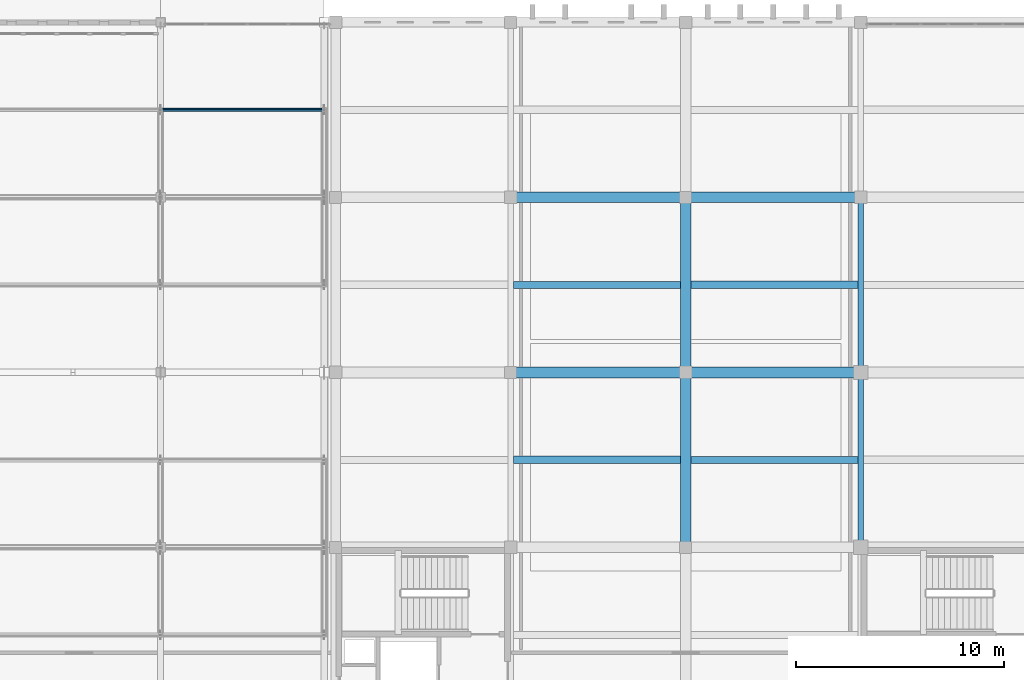
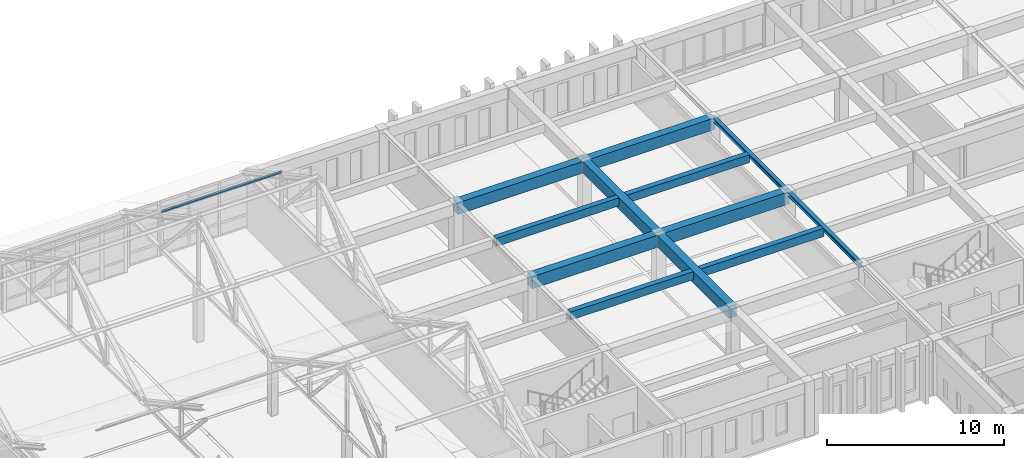
# One storey, part 41 of 110: 12 beams, 1 member.
"""IFC4 building model written with IfcOpenShell, lengths in metres."""

from ifc_helpers import new_model, si_unit, direction, frame, origin, origin_2d, place, context, subcontext, project, spatial, rectangle, i_section, extrude, material, material_profile, profile_set, type_object, element, save


model = new_model("IFC4")

# Units and contexts
model_context = context("Model", 3, precision=1e-05, world=origin(), true_north=direction((0.0, 1.0)))
body_context = subcontext(model_context, "Body", "Model", "MODEL_VIEW")
ifc_project = project(units=[si_unit("LENGTHUNIT", "METRE"), si_unit("AREAUNIT", "SQUARE_METRE"), si_unit("VOLUMEUNIT", "CUBIC_METRE"), si_unit("PLANEANGLEUNIT", "RADIAN"), si_unit("MASSUNIT", "GRAM", prefix="KILO")], contexts=[model_context])

# Site, building, storey
site_placement = place(None, origin())
site = spatial("IfcSite", under=ifc_project, at=site_placement, CompositionType="ELEMENT")
building_placement = place(site_placement, origin())
building = spatial("IfcBuilding", under=site, at=building_placement, Name="Kveldsbrygga Polytechnic", CompositionType="ELEMENT")
storey_placement = place(building_placement, frame((0.0, 0.0, 9.860107421875)))
storey = spatial("IfcBuildingStorey", under=building, at=storey_placement, Name="L02", CompositionType="ELEMENT", Elevation=9.860107421875)

# Beams
ifc_material_1 = material(Name="Concrete C35/45", Category="concrete")
ifc_material_profile_1 = material_profile(ifc_material_1, rectangle(XDim=0.5, YDim=0.800048828125, at=origin_2d()), Name="RC 500x800")
ifc_profile_set_1 = profile_set([ifc_material_profile_1], Name="Concrete C35/45")
beam_type_1 = type_object("IfcBeamType", Name="BM-RC-500x800", PredefinedType="BEAM", material=ifc_profile_set_1)
beam_1_placement = place(storey_placement, frame((109.199951171875, 109.199951171875, 3.349853515625), z_axis=(1.0, 0.0, 0.0), x_axis=(0.0, 1.0, 0.0)))
element("IfcBeam", 1, at=beam_1_placement, inside=storey, type_object=beam_type_1, Name="Primary Beam BMX-L02-13to14-13", PredefinedType="BEAM", context=body_context, shape_type="SweptSolid", body=[
    extrude(rectangle(XDim=0.5, YDim=0.800048828125, at=origin_2d()), origin(), (0.0, 0.0, 1.0), 8.400146484375),
])
beam_2_placement = place(storey_placement, frame((117.60009765625, 109.199951171875, 3.349853515625), z_axis=(1.0, 0.0, 0.0), x_axis=(0.0, 1.0, 0.0)))
element("IfcBeam", 2, at=beam_2_placement, inside=storey, type_object=beam_type_1, Name="Primary Beam BMX-L02-14to15-13", PredefinedType="BEAM", context=body_context, shape_type="SweptSolid", body=[
    extrude(rectangle(XDim=0.5, YDim=0.800048828125, at=origin_2d()), origin(), (0.0, 0.0, 1.0), 8.39990234375),
])
beam_3_placement = place(storey_placement, frame((117.60009765625, 92.39990234375, 3.349853515625), z_axis=(0.0, 1.0, 0.0), x_axis=(-1.0, 0.0, 0.0)))
element("IfcBeam", 3, at=beam_3_placement, inside=storey, type_object=beam_type_1, Name="Primary Beam BMY-L02-14-11to12", PredefinedType="BEAM", context=body_context, shape_type="SweptSolid", body=[
    extrude(rectangle(XDim=0.5, YDim=0.800048828125, at=origin_2d()), origin(), (0.0, 0.0, 1.0), 8.400146484375),
])
beam_4_placement = place(storey_placement, frame((117.60009765625, 100.800048828125, 3.349853515625), z_axis=(0.0, 1.0, 0.0), x_axis=(-1.0, 0.0, 0.0)))
element("IfcBeam", 4, at=beam_4_placement, inside=storey, type_object=beam_type_1, Name="Primary Beam BMY-L02-14-12to13", PredefinedType="BEAM", context=body_context, shape_type="SweptSolid", body=[
    extrude(rectangle(XDim=0.5, YDim=0.800048828125, at=origin_2d()), origin(), (0.0, 0.0, 1.0), 8.39990234375),
])
ifc_material_profile_2 = material_profile(ifc_material_1, rectangle(XDim=0.52001953125, YDim=0.840087890625, at=origin_2d()), Name="RC 520x840")
ifc_profile_set_2 = profile_set([ifc_material_profile_2], Name="Concrete C35/45")
beam_type_2 = type_object("IfcBeamType", Name="BM-RC-520x840", PredefinedType="BEAM", material=ifc_profile_set_2)
beam_5_placement = place(storey_placement, frame((109.199951171875, 100.800048828125, 3.329833984375), z_axis=(1.0, 0.0, 0.0), x_axis=(0.0, 1.0, 0.0)))
element("IfcBeam", 5, at=beam_5_placement, inside=storey, type_object=beam_type_2, Name="Primary Beam BMX-L02-13to14-12", PredefinedType="BEAM", context=body_context, shape_type="SweptSolid", body=[
    extrude(rectangle(XDim=0.52001953125, YDim=0.840087890625, at=origin_2d()), origin(), (0.0, 0.0, 1.0), 8.400146484375),
])
beam_6_placement = place(storey_placement, frame((117.60009765625, 100.800048828125, 3.329833984375), z_axis=(1.0, 0.0, 0.0), x_axis=(0.0, 1.0, 0.0)))
element("IfcBeam", 6, at=beam_6_placement, inside=storey, type_object=beam_type_2, Name="Primary Beam BMX-L02-14to15-12", PredefinedType="BEAM", context=body_context, shape_type="SweptSolid", body=[
    extrude(rectangle(XDim=0.52001953125, YDim=0.840087890625, at=origin_2d()), origin(), (0.0, 0.0, 1.0), 8.39990234375),
])
ifc_material_2 = material(Name="Steel S355", Category="steel")
ifc_material_profile_3 = material_profile(ifc_material_2, i_section(OverallWidth=0.260009765625, OverallDepth=0.260009765625, WebThickness=0.010009765625, FlangeThickness=0.017578125, FilletRadius=0.02392578125, at=origin_2d()), Name="HEB 260")
ifc_profile_set_3 = profile_set([ifc_material_profile_3], Name="Steel S355")
beam_type_3 = type_object("IfcBeamType", Name="BM-STL-HEB260", PredefinedType="BEAM", material=ifc_profile_set_3)
beam_7_placement = place(storey_placement, frame((126.0, 92.39990234375, 3.619873046875), z_axis=(0.0, 1.0, 0.0), x_axis=(-1.0, 0.0, 0.0)))
element("IfcBeam", 7, at=beam_7_placement, inside=storey, type_object=beam_type_3, Name="Primary Beam BMY-L02-15-11to12", PredefinedType="BEAM", context=body_context, shape_type="SweptSolid", body=[
    extrude(i_section(OverallWidth=0.260009765625, OverallDepth=0.260009765625, WebThickness=0.010009765625, FlangeThickness=0.017578125, FilletRadius=0.02392578125, at=origin_2d()), origin(), (0.0, 0.0, 1.0), 8.400146484375),
])
beam_8_placement = place(storey_placement, frame((126.0, 100.800048828125, 3.619873046875), z_axis=(0.0, 1.0, 0.0), x_axis=(-1.0, 0.0, 0.0)))
element("IfcBeam", 8, at=beam_8_placement, inside=storey, type_object=beam_type_3, Name="Primary Beam BMY-L02-15-12to13", PredefinedType="BEAM", context=body_context, shape_type="SweptSolid", body=[
    extrude(i_section(OverallWidth=0.260009765625, OverallDepth=0.260009765625, WebThickness=0.010009765625, FlangeThickness=0.017578125, FilletRadius=0.02392578125, at=origin_2d()), origin(), (0.0, 0.0, 1.0), 8.39990234375),
])
ifc_material_profile_4 = material_profile(ifc_material_1, rectangle(XDim=0.340087890625, YDim=0.56005859375, at=origin_2d()), Name="RC 340x560")
ifc_profile_set_4 = profile_set([ifc_material_profile_4], Name="Concrete C35/45")
beam_type_4 = type_object("IfcBeamType", Name="JST-RC-340x560", PredefinedType="JOIST", material=ifc_profile_set_4)
for number, where, z_axis, x_axis, name in (
    (9, (109.330078125, 105.0, 3.469970703125), (1.0, 0.0, 0.0), (0.0, 1.0, 0.0), "Secondary Joist JST-L02-13-12"),
    (10, (117.85009765625, 96.60009765625, 3.469970703125), (1.0, 0.0, 0.0), (0.0, 1.0, 0.0), "Secondary Joist JST-L02-14-11"),
):
    element("IfcBeam", number, at=place(storey_placement, frame(where, z_axis=z_axis, x_axis=x_axis)), inside=storey, type_object=beam_type_4, Name=name, PredefinedType="JOIST", context=body_context, shape_type="SweptSolid", body=[
        extrude(rectangle(XDim=0.340087890625, YDim=0.56005859375, at=origin_2d()), origin(), (0.0, 0.0, 1.0), 8.02001953125),
    ])
ifc_material_profile_5 = material_profile(ifc_material_1, rectangle(XDim=0.35009765625, YDim=0.550048828125, at=origin_2d()), Name="RC 350x550")
ifc_profile_set_5 = profile_set([ifc_material_profile_5], Name="Concrete C35/45")
beam_type_5 = type_object("IfcBeamType", Name="JST-RC-350x550", PredefinedType="JOIST", material=ifc_profile_set_5)
for number, where, z_axis, x_axis, name in (
    (11, (109.330078125, 96.60009765625, 3.474853515625), (1.0, 0.0, 0.0), (0.0, 1.0, 0.0), "Secondary Joist JST-L02-13-11"),
    (12, (117.85009765625, 105.0, 3.474853515625), (1.0, 0.0, 0.0), (0.0, 1.0, 0.0), "Secondary Joist JST-L02-14-12"),
):
    element("IfcBeam", number, at=place(storey_placement, frame(where, z_axis=z_axis, x_axis=x_axis)), inside=storey, type_object=beam_type_5, Name=name, PredefinedType="JOIST", context=body_context, shape_type="SweptSolid", body=[
        extrude(rectangle(XDim=0.35009765625, YDim=0.550048828125, at=origin_2d()), origin(), (0.0, 0.0, 1.0), 8.02001953125),
    ])

# Member
ifc_material_profile_6 = material_profile(ifc_material_2, i_section(OverallWidth=0.10009765625, OverallDepth=0.199951171875, WebThickness=0.005615234375, FlangeThickness=0.008544921875, FilletRadius=0.011962890625, at=origin_2d()), Name="IPE 200")
ifc_profile_set_6 = profile_set([ifc_material_profile_6], Name="Steel S355")
member_type = type_object("IfcMemberType", Name="PRL-IPE200", PredefinedType="PURLIN", material=ifc_profile_set_6)
member_placement = place(storey_placement, frame((92.39990234375, 113.39990234375, 6.33349609375), z_axis=(1.0, 0.0, 0.0), x_axis=(0.0, 0.879292204483, 0.476282709256)))
element("IfcMember", 13, at=member_placement, inside=storey, type_object=member_type, Name="Roof Purlin V2L2-PRL-7-3", PredefinedType="PURLIN", context=body_context, shape_type="SweptSolid", body=[
    extrude(i_section(OverallWidth=0.10009765625, OverallDepth=0.199951171875, WebThickness=0.005615234375, FlangeThickness=0.008544921875, FilletRadius=0.011962890625, at=origin_2d()), origin(), (0.0, 0.0, 1.0), 7.85009765625),
])

save(model, "model.ifc")
